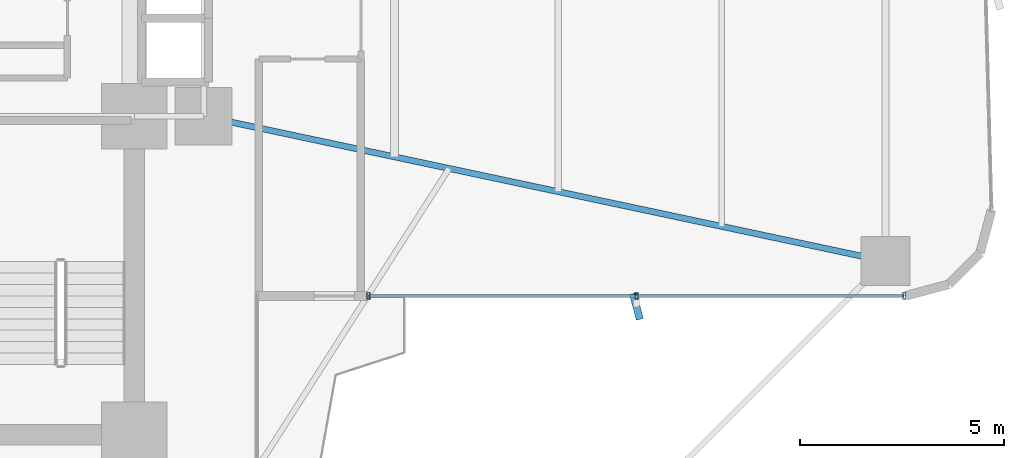
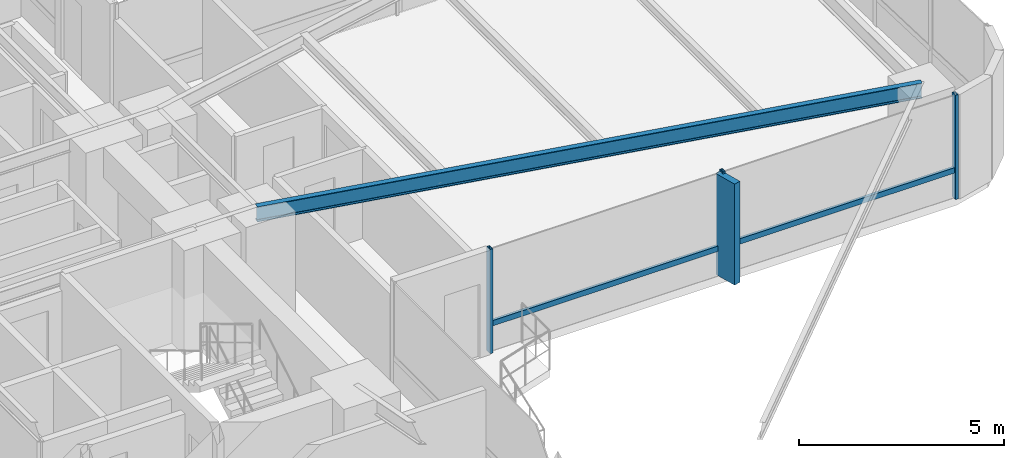
# One storey, part 14 of 25: 6 members, 1 beam, 1 element without a shape of its own.
"""IFC4 building model written with IfcOpenShell, lengths in metres."""

from ifc_helpers import new_model, si_unit, direction, frame, origin, origin_2d, place, context, subcontext, project, spatial, rectangle, hollow_rectangle, i_section, extrude, source, transform, mapped, material, material_profile, profile_set, type_object, element, aggregate, save


model = new_model("IFC4")

# Units and contexts
model_context = context("Model", 3, precision=1e-05, world=origin(), true_north=direction((0.0, 1.0)))
body_context = subcontext(model_context, "Body", "Model", "MODEL_VIEW")
ifc_project = project(units=[si_unit("LENGTHUNIT", "METRE"), si_unit("AREAUNIT", "SQUARE_METRE"), si_unit("VOLUMEUNIT", "CUBIC_METRE"), si_unit("PLANEANGLEUNIT", "RADIAN"), si_unit("MASSUNIT", "GRAM", prefix="KILO")], contexts=[model_context])

# Site, building, storey
site_placement = place(None, origin())
site = spatial("IfcSite", under=ifc_project, at=site_placement, CompositionType="ELEMENT")
building_placement = place(site_placement, origin())
building = spatial("IfcBuilding", under=site, at=building_placement, Name="Sahyath Konkavel Grand Hotel", CompositionType="ELEMENT")
storey_placement = place(building_placement, frame((0.0, 0.0, 67.800048828125)))
storey = spatial("IfcBuildingStorey", under=building, at=storey_placement, Name="L18", CompositionType="ELEMENT", Elevation=67.800048828125)

# Beam
ifc_material_1 = material(Name="Steel E350", Category="steel")
ifc_material_profile_1 = material_profile(ifc_material_1, i_section(OverallWidth=0.14990234375, OverallDepth=0.449951171875, WebThickness=0.009521484375, FlangeThickness=0.017333984375, FilletRadius=0.014892578125, at=origin_2d()), Name="ISMB 450")
ifc_profile_set_1 = profile_set([ifc_material_profile_1], Name="Steel E350")
beam_type = type_object("IfcBeamType", Name="BM-ISMB450", PredefinedType="BEAM", material=ifc_profile_set_1)
shared_shape_1 = source(origin(), body_context, "Body", "SweptSolid", [
    extrude(i_section(OverallWidth=0.14990234375, OverallDepth=0.449951171875, WebThickness=0.009521484375, FlangeThickness=0.017333984375, FilletRadius=0.014892578125, at=origin_2d()), origin(), (0.0, 0.0, 1.0), 17.072998046875),
])
beam_placement = place(storey_placement, frame((5.5, -2.39990234375, 2.885009765625), z_axis=(0.978143257225, -0.20793212437, 0.0), x_axis=(0.20793212437, 0.978143257225, 0.0)))
element("IfcBeam", 1, at=beam_placement, inside=storey, type_object=beam_type, Name="L18 Cruciform Radial Girder EA", PredefinedType="BEAM", context=body_context, shape_type="MappedRepresentation", body=[
    mapped(shared_shape_1, transform((0.0, 0.0, 0.0), scale=1.0)),
])

# Curtain wall, members
ifc_material_2 = material(Name="Anodised Bronze Aluminium & Low-E Glazing", Category="aluminium")
curtain_wall_type = type_object("IfcCurtainWallType", Name="CW-ZONE1", PredefinedType="NOTDEFINED", material=ifc_material_2)
curtain_wall_placement = place(storey_placement, origin())
curtain_wall = element("IfcCurtainWall", 2, at=curtain_wall_placement, inside=storey, type_object=curtain_wall_type, Name="L18 Unitised Curtain Wall F0", PredefinedType="NOTDEFINED")
ifc_material_3 = material(Name="Anodised Bronze Aluminium", Category="aluminium")
ifc_material_profile_2 = material_profile(ifc_material_3, hollow_rectangle(XDim=0.080078125, YDim=0.159912109375, WallThickness=0.006103515625, at=origin_2d()), Name="RHS 160x80x6")
ifc_profile_set_2 = profile_set([ifc_material_profile_2], Name="Anodised Bronze Aluminium")
member_type_1 = type_object("IfcMemberType", Name="CW-MUL-160", PredefinedType="MULLION", material=ifc_profile_set_2)
shared_shape_2 = source(origin(), body_context, "Body", "SweptSolid", [
    extrude(hollow_rectangle(XDim=0.080078125, YDim=0.159912109375, WallThickness=0.006103515625, at=origin_2d()), origin(), (0.0, 0.0, 1.0), 3.10986328125),
])
member_1_placement = place(storey_placement, frame((9.5400390625, -6.800048828125, 0.0), z_axis=(0.0, 0.0, 1.0), x_axis=(1.0, 0.0, 0.0)))
member_1 = element("IfcMember", 3, at=member_1_placement, type_object=member_type_1, Name="L18 Curtain Wall Mullion F0-0", PredefinedType="MULLION", context=body_context, shape_type="MappedRepresentation", body=[
    mapped(shared_shape_2, transform((0.0, 0.0, 0.0), scale=1.0)),
])
member_2_placement = place(storey_placement, frame((16.10009765625, -6.800048828125, 0.0), z_axis=(0.0, 0.0, 1.0), x_axis=(1.0, 0.0, 0.0)))
member_2 = element("IfcMember", 4, at=member_2_placement, type_object=member_type_1, Name="L18 Curtain Wall Mullion F0-1", PredefinedType="MULLION", context=body_context, shape_type="MappedRepresentation", body=[
    mapped(shared_shape_2, transform((0.0, 0.0, 0.0), scale=1.0)),
])
member_3_placement = place(storey_placement, frame((22.659912109375, -6.800048828125, 0.0), z_axis=(0.0, 0.0, 1.0), x_axis=(1.0, 0.0, 0.0)))
member_3 = element("IfcMember", 5, at=member_3_placement, type_object=member_type_1, Name="L18 Curtain Wall Mullion F0-2", PredefinedType="MULLION", context=body_context, shape_type="MappedRepresentation", body=[
    mapped(shared_shape_2, transform((0.0, 0.0, 0.0), scale=1.0)),
])
ifc_material_4 = material(Name="Warm Buff Sandstone Cladding on Concrete C50/60", Category="masonry")
ifc_material_profile_3 = material_profile(ifc_material_4, rectangle(XDim=0.179931640625, YDim=0.64990234375, at=origin_2d()), Name="FIN 180x650")
ifc_profile_set_3 = profile_set([ifc_material_profile_3], Name="Warm Buff Sandstone Cladding on Concrete C50/60")
member_type_2 = type_object("IfcMemberType", Name="FIN-SANDSTONE-650", PredefinedType="MULLION", material=ifc_profile_set_3)
shared_shape_3 = source(origin(), body_context, "Body", "SweptSolid", [
    extrude(rectangle(XDim=0.179931640625, YDim=0.64990234375, at=origin_2d()), origin(), (0.0, 0.0, 1.0), 3.010009765625),
])
member_4_placement = place(storey_placement, frame((16.10009765625, -7.06005859375, 0.050048828125), z_axis=(0.0, 0.0, 1.0), x_axis=(0.965744901133, 0.259493325415, 0.0)))
member_4 = element("IfcMember", 6, at=member_4_placement, type_object=member_type_2, Name="L18 Sandstone Vertical Solar Fin FIN F0-1", PredefinedType="MULLION", context=body_context, shape_type="MappedRepresentation", body=[
    mapped(shared_shape_3, transform((0.0, 0.0, 0.0), scale=1.0)),
])
ifc_material_profile_4 = material_profile(ifc_material_3, hollow_rectangle(XDim=0.080078125, YDim=0.159912109375, WallThickness=0.006103515625, at=origin_2d()), Name="RHS 160x80x6")
ifc_profile_set_4 = profile_set([ifc_material_profile_4], Name="Anodised Bronze Aluminium")
member_type_3 = type_object("IfcMemberType", Name="CW-TRN-160", PredefinedType="USERDEFINED", material=ifc_profile_set_4)
shared_shape_4 = source(origin(), body_context, "Body", "SweptSolid", [
    extrude(hollow_rectangle(XDim=0.080078125, YDim=0.159912109375, WallThickness=0.006103515625, at=origin_2d()), origin(), (0.0, 0.0, 1.0), 6.56005859375),
])
member_5_placement = place(storey_placement, frame((9.5400390625, -6.800048828125, 0.849853515625), z_axis=(1.0, 0.0, 0.0), x_axis=(0.0, 1.0, 0.0)))
member_5 = element("IfcMember", 7, at=member_5_placement, type_object=member_type_3, Name="L18 Curtain Wall Transom F0-0-spandrel", ObjectType="TRANSOM", PredefinedType="USERDEFINED", context=body_context, shape_type="MappedRepresentation", body=[
    mapped(shared_shape_4, transform((0.0, 0.0, 0.0), scale=1.0)),
])
shared_shape_5 = source(origin(), body_context, "Body", "SweptSolid", [
    extrude(hollow_rectangle(XDim=0.080078125, YDim=0.159912109375, WallThickness=0.006103515625, at=origin_2d()), origin(), (0.0, 0.0, 1.0), 6.559814453125),
])
member_6_placement = place(storey_placement, frame((16.10009765625, -6.800048828125, 0.849853515625), z_axis=(1.0, 0.0, 0.0), x_axis=(0.0, 1.0, 0.0)))
member_6 = element("IfcMember", 8, at=member_6_placement, type_object=member_type_3, Name="L18 Curtain Wall Transom F0-1-spandrel", ObjectType="TRANSOM", PredefinedType="USERDEFINED", context=body_context, shape_type="MappedRepresentation", body=[
    mapped(shared_shape_5, transform((0.0, 0.0, 0.0), scale=1.0)),
])
aggregate(curtain_wall, [member_1, member_2, member_4, member_3, member_5, member_6])

save(model, "model.ifc")
